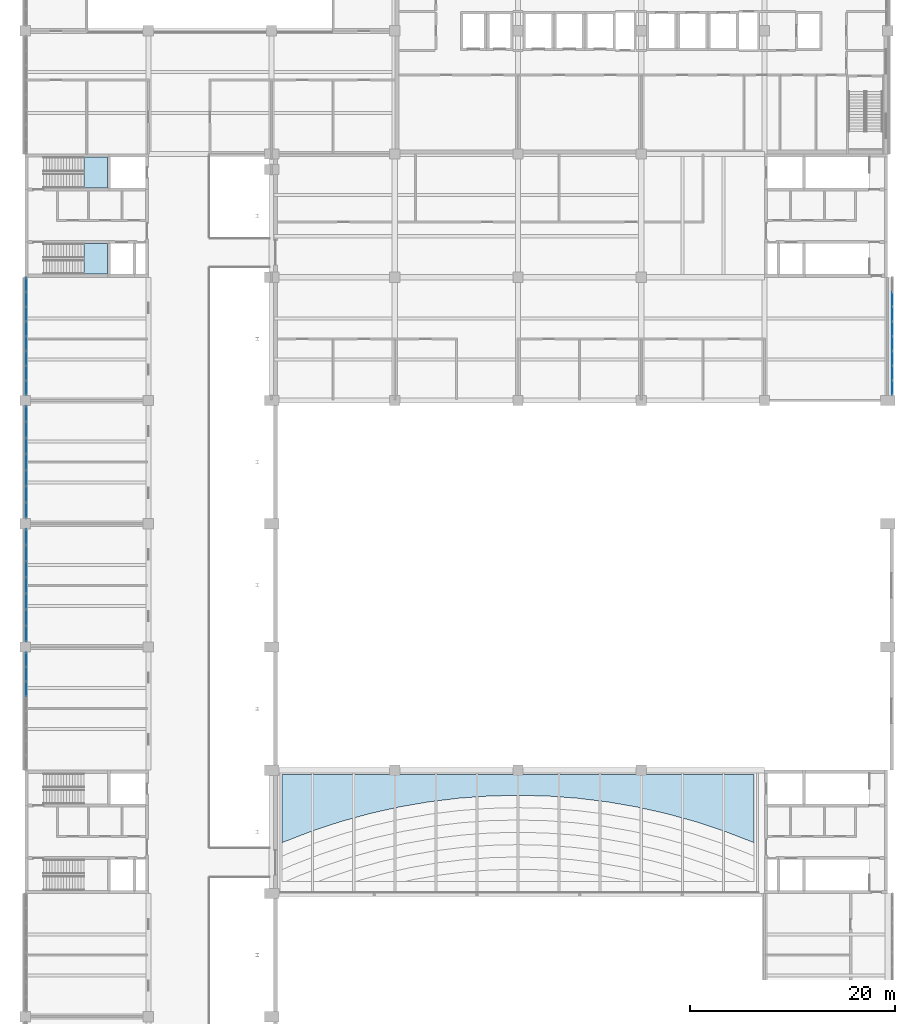
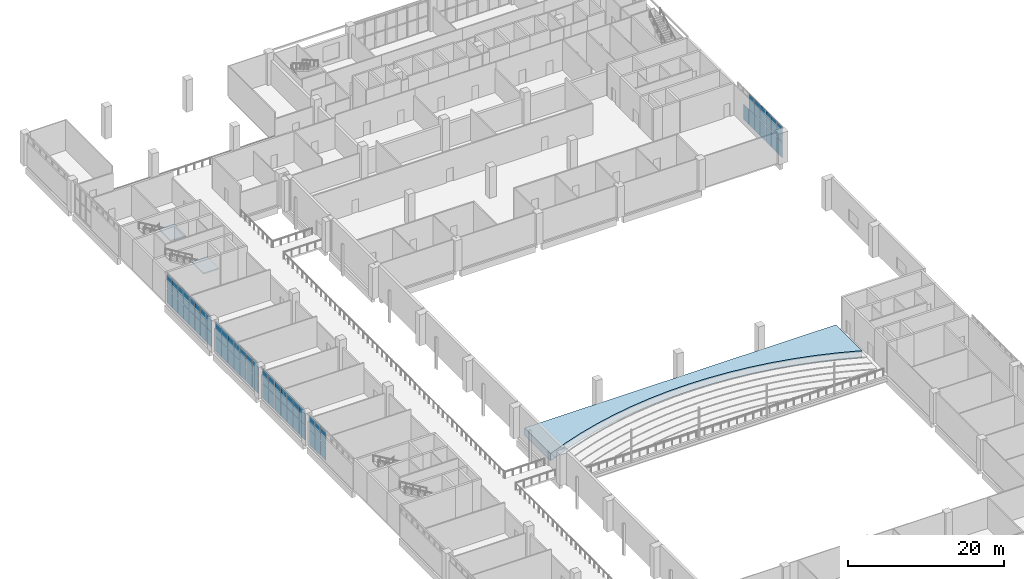
# One storey, part 48 of 69: 63 plates, 3 slabs, 7 elements without a shape of their own.
"""IFC4 building model written with IfcOpenShell, lengths in metres."""

from ifc_helpers import new_model, si_unit, direction, frame, origin, origin_2d, place, context, subcontext, project, spatial, polyline, rectangle, outline, extrude, material, layer, layer_set, type_object, element, aggregate, save


model = new_model("IFC4")

# Units and contexts
model_context = context("Model", 3, precision=1e-05, world=origin(), true_north=direction((0.0, 1.0)))
body_context = subcontext(model_context, "Body", "Model", "MODEL_VIEW")
ifc_project = project(units=[si_unit("LENGTHUNIT", "METRE"), si_unit("AREAUNIT", "SQUARE_METRE"), si_unit("VOLUMEUNIT", "CUBIC_METRE"), si_unit("PLANEANGLEUNIT", "RADIAN"), si_unit("MASSUNIT", "GRAM", prefix="KILO")], contexts=[model_context])

# Site, building, storey
site_placement = place(None, origin())
site = spatial("IfcSite", under=ifc_project, at=site_placement, CompositionType="ELEMENT")
building_placement = place(site_placement, origin())
building = spatial("IfcBuilding", under=site, at=building_placement, Name="Lilac Gate Convention Centre", CompositionType="ELEMENT")
storey_placement = place(building_placement, frame((0.0, 0.0, 12.0)))
storey = spatial("IfcBuildingStorey", under=building, at=storey_placement, Name="L02", CompositionType="ELEMENT", Elevation=12.0)

# Curtain wall, plates
ifc_material_1 = material(Name="Aluminium framed double glazing", Category="aluminium")
ifc_layer_1 = layer(ifc_material_1, 0.199951171875)
ifc_layer_set_1 = layer_set([ifc_layer_1], Name="Aluminium framed double glazing")
curtain_wall_type = type_object("IfcCurtainWallType", Name="Unitised curtain wall 1500", PredefinedType="NOTDEFINED", material=ifc_layer_set_1)
curtain_wall_1_placement = place(storey_placement, origin())
curtain_wall_1 = element("IfcCurtainWall", 1, at=curtain_wall_1_placement, inside=storey, type_object=curtain_wall_type, Name="Curtain wall PW L02 1", PredefinedType="NOTDEFINED")
ifc_material_2 = material(Name="Double glazed unit low emissivity")
ifc_layer_2 = layer(ifc_material_2, 0.028076171875)
ifc_layer_set_2 = layer_set([ifc_layer_2], Name="Double glazed unit low emissivity")
plate_type_1 = type_object("IfcPlateType", Name="Curtain wall glass panel 28", PredefinedType="CURTAIN_PANEL", material=ifc_layer_set_2)
plate_1_placement = place(storey_placement, frame((6.10009765625, 209.266357421875, 2.4052734375), z_axis=(0.0, 0.0, 1.0), x_axis=(0.0, -1.0, 0.0)))
plate_1 = element("IfcPlate", 2, at=plate_1_placement, type_object=plate_type_1, Name="CW panel 1.2", PredefinedType="CURTAIN_PANEL", context=body_context, shape_type="SweptSolid", body=[
    extrude(rectangle(XDim=1.347412109375, YDim=0.028076171875, at=origin_2d()), origin(), (0.0, 0.0, 1.0), 2.284912109375),
])
plate_2_placement = place(storey_placement, frame((6.10009765625, 207.84375, 2.4052734375), z_axis=(0.0, 0.0, 1.0), x_axis=(0.0, -1.0, 0.0)))
plate_2 = element("IfcPlate", 3, at=plate_2_placement, type_object=plate_type_1, Name="CW panel 2.2", PredefinedType="CURTAIN_PANEL", context=body_context, shape_type="SweptSolid", body=[
    extrude(rectangle(XDim=1.37744140625, YDim=0.028076171875, at=origin_2d()), origin(), (0.0, 0.0, 1.0), 2.284912109375),
])
plate_3_placement = place(storey_placement, frame((6.10009765625, 206.40625, 2.4052734375), z_axis=(0.0, 0.0, 1.0), x_axis=(0.0, -1.0, 0.0)))
plate_3 = element("IfcPlate", 4, at=plate_3_placement, type_object=plate_type_1, Name="CW panel 3.2", PredefinedType="CURTAIN_PANEL", context=body_context, shape_type="SweptSolid", body=[
    extrude(rectangle(XDim=1.37744140625, YDim=0.028076171875, at=origin_2d()), origin(), (0.0, 0.0, 1.0), 2.284912109375),
])
plate_4_placement = place(storey_placement, frame((6.10009765625, 204.96875, 2.4052734375), z_axis=(0.0, 0.0, 1.0), x_axis=(0.0, -1.0, 0.0)))
plate_4 = element("IfcPlate", 5, at=plate_4_placement, type_object=plate_type_1, Name="CW panel 4.2", PredefinedType="CURTAIN_PANEL", context=body_context, shape_type="SweptSolid", body=[
    extrude(rectangle(XDim=1.37744140625, YDim=0.028076171875, at=origin_2d()), origin(), (0.0, 0.0, 1.0), 2.284912109375),
])
plate_5_placement = place(storey_placement, frame((6.10009765625, 203.53125, 2.4052734375), z_axis=(0.0, 0.0, 1.0), x_axis=(0.0, -1.0, 0.0)))
plate_5 = element("IfcPlate", 6, at=plate_5_placement, type_object=plate_type_1, Name="CW panel 5.2", PredefinedType="CURTAIN_PANEL", context=body_context, shape_type="SweptSolid", body=[
    extrude(rectangle(XDim=1.37744140625, YDim=0.028076171875, at=origin_2d()), origin(), (0.0, 0.0, 1.0), 2.284912109375),
])
plate_6_placement = place(storey_placement, frame((6.10009765625, 202.09375, 2.4052734375), z_axis=(0.0, 0.0, 1.0), x_axis=(0.0, -1.0, 0.0)))
plate_6 = element("IfcPlate", 7, at=plate_6_placement, type_object=plate_type_1, Name="CW panel 6.2", PredefinedType="CURTAIN_PANEL", context=body_context, shape_type="SweptSolid", body=[
    extrude(rectangle(XDim=1.37744140625, YDim=0.028076171875, at=origin_2d()), origin(), (0.0, 0.0, 1.0), 2.284912109375),
])
plate_7_placement = place(storey_placement, frame((6.10009765625, 200.65625, 2.4052734375), z_axis=(0.0, 0.0, 1.0), x_axis=(0.0, -1.0, 0.0)))
plate_7 = element("IfcPlate", 8, at=plate_7_placement, type_object=plate_type_1, Name="CW panel 7.2", PredefinedType="CURTAIN_PANEL", context=body_context, shape_type="SweptSolid", body=[
    extrude(rectangle(XDim=1.37744140625, YDim=0.028076171875, at=origin_2d()), origin(), (0.0, 0.0, 1.0), 2.284912109375),
])
plate_8_placement = place(storey_placement, frame((6.10009765625, 199.233642578125, 2.4052734375), z_axis=(0.0, 0.0, 1.0), x_axis=(0.0, -1.0, 0.0)))
plate_8 = element("IfcPlate", 9, at=plate_8_placement, type_object=plate_type_1, Name="CW panel 8.2", PredefinedType="CURTAIN_PANEL", context=body_context, shape_type="SweptSolid", body=[
    extrude(rectangle(XDim=1.347412109375, YDim=0.028076171875, at=origin_2d()), origin(), (0.0, 0.0, 1.0), 2.284912109375),
])

curtain_wall_2_placement = place(storey_placement, origin())
curtain_wall_2 = element("IfcCurtainWall", 10, at=curtain_wall_2_placement, inside=storey, type_object=curtain_wall_type, Name="Curtain wall PW L02 2", PredefinedType="NOTDEFINED")
plate_9_placement = place(storey_placement, frame((6.10009765625, 196.69921875, 2.4052734375), z_axis=(0.0, 0.0, 1.0), x_axis=(0.0, -1.0, 0.0)))
plate_9 = element("IfcPlate", 11, at=plate_9_placement, type_object=plate_type_1, Name="CW panel 1.2", PredefinedType="CURTAIN_PANEL", context=body_context, shape_type="SweptSolid", body=[
    extrude(rectangle(XDim=1.4814453125, YDim=0.028076171875, at=origin_2d()), origin(), (0.0, 0.0, 1.0), 2.284912109375),
])
plate_10_placement = place(storey_placement, frame((6.10009765625, 195.142822265625, 2.4052734375), z_axis=(0.0, 0.0, 1.0), x_axis=(0.0, -1.0, 0.0)))
plate_10 = element("IfcPlate", 12, at=plate_10_placement, type_object=plate_type_1, Name="CW panel 2.2", PredefinedType="CURTAIN_PANEL", context=body_context, shape_type="SweptSolid", body=[
    extrude(rectangle(XDim=1.511474609375, YDim=0.028076171875, at=origin_2d()), origin(), (0.0, 0.0, 1.0), 2.284912109375),
])
plate_11_placement = place(storey_placement, frame((6.10009765625, 193.571533203125, 2.4052734375), z_axis=(0.0, 0.0, 1.0), x_axis=(0.0, -1.0, 0.0)))
plate_11 = element("IfcPlate", 13, at=plate_11_placement, type_object=plate_type_1, Name="CW panel 3.2", PredefinedType="CURTAIN_PANEL", context=body_context, shape_type="SweptSolid", body=[
    extrude(rectangle(XDim=1.511474609375, YDim=0.028076171875, at=origin_2d()), origin(), (0.0, 0.0, 1.0), 2.284912109375),
])
plate_12_placement = place(storey_placement, frame((6.10009765625, 192.0, 2.4052734375), z_axis=(0.0, 0.0, 1.0), x_axis=(0.0, -1.0, 0.0)))
plate_12 = element("IfcPlate", 14, at=plate_12_placement, type_object=plate_type_1, Name="CW panel 4.2", PredefinedType="CURTAIN_PANEL", context=body_context, shape_type="SweptSolid", body=[
    extrude(rectangle(XDim=1.511474609375, YDim=0.028076171875, at=origin_2d()), origin(), (0.0, 0.0, 1.0), 2.284912109375),
])
plate_13_placement = place(storey_placement, frame((6.10009765625, 190.428466796875, 2.4052734375), z_axis=(0.0, 0.0, 1.0), x_axis=(0.0, -1.0, 0.0)))
plate_13 = element("IfcPlate", 15, at=plate_13_placement, type_object=plate_type_1, Name="CW panel 5.2", PredefinedType="CURTAIN_PANEL", context=body_context, shape_type="SweptSolid", body=[
    extrude(rectangle(XDim=1.511474609375, YDim=0.028076171875, at=origin_2d()), origin(), (0.0, 0.0, 1.0), 2.284912109375),
])
plate_14_placement = place(storey_placement, frame((6.10009765625, 188.857177734375, 2.4052734375), z_axis=(0.0, 0.0, 1.0), x_axis=(0.0, -1.0, 0.0)))
plate_14 = element("IfcPlate", 16, at=plate_14_placement, type_object=plate_type_1, Name="CW panel 6.2", PredefinedType="CURTAIN_PANEL", context=body_context, shape_type="SweptSolid", body=[
    extrude(rectangle(XDim=1.511474609375, YDim=0.028076171875, at=origin_2d()), origin(), (0.0, 0.0, 1.0), 2.284912109375),
])
plate_15_placement = place(storey_placement, frame((6.10009765625, 187.30078125, 2.4052734375), z_axis=(0.0, 0.0, 1.0), x_axis=(0.0, -1.0, 0.0)))
plate_15 = element("IfcPlate", 17, at=plate_15_placement, type_object=plate_type_1, Name="CW panel 7.2", PredefinedType="CURTAIN_PANEL", context=body_context, shape_type="SweptSolid", body=[
    extrude(rectangle(XDim=1.4814453125, YDim=0.028076171875, at=origin_2d()), origin(), (0.0, 0.0, 1.0), 2.284912109375),
])

curtain_wall_3_placement = place(storey_placement, origin())
curtain_wall_3 = element("IfcCurtainWall", 18, at=curtain_wall_3_placement, inside=storey, type_object=curtain_wall_type, Name="Curtain wall PW L02 3", PredefinedType="NOTDEFINED")
plate_16_placement = place(storey_placement, frame((6.10009765625, 184.69921875, 2.4052734375), z_axis=(0.0, 0.0, 1.0), x_axis=(0.0, -1.0, 0.0)))
plate_16 = element("IfcPlate", 19, at=plate_16_placement, type_object=plate_type_1, Name="CW panel 1.2", PredefinedType="CURTAIN_PANEL", context=body_context, shape_type="SweptSolid", body=[
    extrude(rectangle(XDim=1.4814453125, YDim=0.028076171875, at=origin_2d()), origin(), (0.0, 0.0, 1.0), 2.284912109375),
])
plate_17_placement = place(storey_placement, frame((6.10009765625, 183.142822265625, 2.4052734375), z_axis=(0.0, 0.0, 1.0), x_axis=(0.0, -1.0, 0.0)))
plate_17 = element("IfcPlate", 20, at=plate_17_placement, type_object=plate_type_1, Name="CW panel 2.2", PredefinedType="CURTAIN_PANEL", context=body_context, shape_type="SweptSolid", body=[
    extrude(rectangle(XDim=1.511474609375, YDim=0.028076171875, at=origin_2d()), origin(), (0.0, 0.0, 1.0), 2.284912109375),
])
plate_18_placement = place(storey_placement, frame((6.10009765625, 181.571533203125, 2.4052734375), z_axis=(0.0, 0.0, 1.0), x_axis=(0.0, -1.0, 0.0)))
plate_18 = element("IfcPlate", 21, at=plate_18_placement, type_object=plate_type_1, Name="CW panel 3.2", PredefinedType="CURTAIN_PANEL", context=body_context, shape_type="SweptSolid", body=[
    extrude(rectangle(XDim=1.511474609375, YDim=0.028076171875, at=origin_2d()), origin(), (0.0, 0.0, 1.0), 2.284912109375),
])
plate_19_placement = place(storey_placement, frame((6.10009765625, 180.0, 2.4052734375), z_axis=(0.0, 0.0, 1.0), x_axis=(0.0, -1.0, 0.0)))
plate_19 = element("IfcPlate", 22, at=plate_19_placement, type_object=plate_type_1, Name="CW panel 4.2", PredefinedType="CURTAIN_PANEL", context=body_context, shape_type="SweptSolid", body=[
    extrude(rectangle(XDim=1.511474609375, YDim=0.028076171875, at=origin_2d()), origin(), (0.0, 0.0, 1.0), 2.284912109375),
])
plate_20_placement = place(storey_placement, frame((6.10009765625, 178.428466796875, 2.4052734375), z_axis=(0.0, 0.0, 1.0), x_axis=(0.0, -1.0, 0.0)))
plate_20 = element("IfcPlate", 23, at=plate_20_placement, type_object=plate_type_1, Name="CW panel 5.2", PredefinedType="CURTAIN_PANEL", context=body_context, shape_type="SweptSolid", body=[
    extrude(rectangle(XDim=1.511474609375, YDim=0.028076171875, at=origin_2d()), origin(), (0.0, 0.0, 1.0), 2.284912109375),
])
plate_21_placement = place(storey_placement, frame((6.10009765625, 176.857177734375, 2.4052734375), z_axis=(0.0, 0.0, 1.0), x_axis=(0.0, -1.0, 0.0)))
plate_21 = element("IfcPlate", 24, at=plate_21_placement, type_object=plate_type_1, Name="CW panel 6.2", PredefinedType="CURTAIN_PANEL", context=body_context, shape_type="SweptSolid", body=[
    extrude(rectangle(XDim=1.511474609375, YDim=0.028076171875, at=origin_2d()), origin(), (0.0, 0.0, 1.0), 2.284912109375),
])
plate_22_placement = place(storey_placement, frame((6.10009765625, 175.30078125, 2.4052734375), z_axis=(0.0, 0.0, 1.0), x_axis=(0.0, -1.0, 0.0)))
plate_22 = element("IfcPlate", 25, at=plate_22_placement, type_object=plate_type_1, Name="CW panel 7.2", PredefinedType="CURTAIN_PANEL", context=body_context, shape_type="SweptSolid", body=[
    extrude(rectangle(XDim=1.4814453125, YDim=0.028076171875, at=origin_2d()), origin(), (0.0, 0.0, 1.0), 2.284912109375),
])

curtain_wall_4_placement = place(storey_placement, origin())
curtain_wall_4 = element("IfcCurtainWall", 26, at=curtain_wall_4_placement, inside=storey, type_object=curtain_wall_type, Name="Curtain wall PW L02 4", PredefinedType="NOTDEFINED")
plate_23_placement = place(storey_placement, frame((6.10009765625, 172.766357421875, 2.4052734375), z_axis=(0.0, 0.0, 1.0), x_axis=(0.0, -1.0, 0.0)))
plate_23 = element("IfcPlate", 27, at=plate_23_placement, type_object=plate_type_1, Name="CW panel 1.2", PredefinedType="CURTAIN_PANEL", context=body_context, shape_type="SweptSolid", body=[
    extrude(rectangle(XDim=1.347412109375, YDim=0.028076171875, at=origin_2d()), origin(), (0.0, 0.0, 1.0), 2.284912109375),
])
plate_24_placement = place(storey_placement, frame((6.10009765625, 171.34375, 2.4052734375), z_axis=(0.0, 0.0, 1.0), x_axis=(0.0, -1.0, 0.0)))
plate_24 = element("IfcPlate", 28, at=plate_24_placement, type_object=plate_type_1, Name="CW panel 2.2", PredefinedType="CURTAIN_PANEL", context=body_context, shape_type="SweptSolid", body=[
    extrude(rectangle(XDim=1.37744140625, YDim=0.028076171875, at=origin_2d()), origin(), (0.0, 0.0, 1.0), 2.284912109375),
])
plate_25_placement = place(storey_placement, frame((6.10009765625, 169.90625, 2.4052734375), z_axis=(0.0, 0.0, 1.0), x_axis=(0.0, -1.0, 0.0)))
plate_25 = element("IfcPlate", 29, at=plate_25_placement, type_object=plate_type_1, Name="CW panel 3.2", PredefinedType="CURTAIN_PANEL", context=body_context, shape_type="SweptSolid", body=[
    extrude(rectangle(XDim=1.37744140625, YDim=0.028076171875, at=origin_2d()), origin(), (0.0, 0.0, 1.0), 2.284912109375),
])

curtain_wall_5_placement = place(storey_placement, origin())
curtain_wall_5 = element("IfcCurtainWall", 30, at=curtain_wall_5_placement, inside=storey, type_object=curtain_wall_type, Name="Curtain wall HE L02 12", PredefinedType="NOTDEFINED")
plate_26_placement = place(storey_placement, frame((90.449951171875, 199.233642578125, 2.5302734375), z_axis=(0.0, 0.0, 1.0), x_axis=(0.0, 1.0, 0.0)))
plate_26 = element("IfcPlate", 31, at=plate_26_placement, type_object=plate_type_1, Name="CW panel 1.2", PredefinedType="CURTAIN_PANEL", context=body_context, shape_type="SweptSolid", body=[
    extrude(rectangle(XDim=1.347412109375, YDim=0.028076171875, at=origin_2d()), origin(), (0.0, 0.0, 1.0), 2.409912109375),
])
plate_27_placement = place(storey_placement, frame((90.449951171875, 200.65625, 2.5302734375), z_axis=(0.0, 0.0, 1.0), x_axis=(0.0, 1.0, 0.0)))
plate_27 = element("IfcPlate", 32, at=plate_27_placement, type_object=plate_type_1, Name="CW panel 2.2", PredefinedType="CURTAIN_PANEL", context=body_context, shape_type="SweptSolid", body=[
    extrude(rectangle(XDim=1.37744140625, YDim=0.028076171875, at=origin_2d()), origin(), (0.0, 0.0, 1.0), 2.409912109375),
])
plate_28_placement = place(storey_placement, frame((90.449951171875, 202.09375, 2.5302734375), z_axis=(0.0, 0.0, 1.0), x_axis=(0.0, 1.0, 0.0)))
plate_28 = element("IfcPlate", 33, at=plate_28_placement, type_object=plate_type_1, Name="CW panel 3.2", PredefinedType="CURTAIN_PANEL", context=body_context, shape_type="SweptSolid", body=[
    extrude(rectangle(XDim=1.37744140625, YDim=0.028076171875, at=origin_2d()), origin(), (0.0, 0.0, 1.0), 2.409912109375),
])
plate_29_placement = place(storey_placement, frame((90.449951171875, 203.53125, 2.5302734375), z_axis=(0.0, 0.0, 1.0), x_axis=(0.0, 1.0, 0.0)))
plate_29 = element("IfcPlate", 34, at=plate_29_placement, type_object=plate_type_1, Name="CW panel 4.2", PredefinedType="CURTAIN_PANEL", context=body_context, shape_type="SweptSolid", body=[
    extrude(rectangle(XDim=1.37744140625, YDim=0.028076171875, at=origin_2d()), origin(), (0.0, 0.0, 1.0), 2.409912109375),
])
plate_30_placement = place(storey_placement, frame((90.449951171875, 204.96875, 2.5302734375), z_axis=(0.0, 0.0, 1.0), x_axis=(0.0, 1.0, 0.0)))
plate_30 = element("IfcPlate", 35, at=plate_30_placement, type_object=plate_type_1, Name="CW panel 5.2", PredefinedType="CURTAIN_PANEL", context=body_context, shape_type="SweptSolid", body=[
    extrude(rectangle(XDim=1.37744140625, YDim=0.028076171875, at=origin_2d()), origin(), (0.0, 0.0, 1.0), 2.409912109375),
])
plate_31_placement = place(storey_placement, frame((90.449951171875, 206.40625, 2.5302734375), z_axis=(0.0, 0.0, 1.0), x_axis=(0.0, 1.0, 0.0)))
plate_31 = element("IfcPlate", 36, at=plate_31_placement, type_object=plate_type_1, Name="CW panel 6.2", PredefinedType="CURTAIN_PANEL", context=body_context, shape_type="SweptSolid", body=[
    extrude(rectangle(XDim=1.37744140625, YDim=0.028076171875, at=origin_2d()), origin(), (0.0, 0.0, 1.0), 2.409912109375),
])

# Plate
ifc_material_3 = material(Name="Insulated aluminium spandrel panel", Category="aluminium")
ifc_layer_3 = layer(ifc_material_3, 0.028076171875)
ifc_layer_set_3 = layer_set([ifc_layer_3], Name="Insulated aluminium spandrel panel")
plate_type_2 = type_object("IfcPlateType", Name="Curtain wall spandrel panel 28", PredefinedType="CURTAIN_PANEL", material=ifc_layer_set_3)
plate_32_placement = place(storey_placement, frame((6.10009765625, 209.266357421875, 0.06005859375), z_axis=(0.0, 0.0, 1.0), x_axis=(0.0, -1.0, 0.0)))
plate_32 = element("IfcPlate", 37, at=plate_32_placement, type_object=plate_type_2, Name="CW spandrel 1.1", PredefinedType="CURTAIN_PANEL", context=body_context, shape_type="SweptSolid", body=[
    extrude(rectangle(XDim=1.347412109375, YDim=0.028076171875, at=origin_2d()), origin(), (0.0, 0.0, 1.0), 2.284912109375),
])

plate_33_placement = place(storey_placement, frame((6.10009765625, 207.84375, 0.06005859375), z_axis=(0.0, 0.0, 1.0), x_axis=(0.0, -1.0, 0.0)))
plate_33 = element("IfcPlate", 38, at=plate_33_placement, type_object=plate_type_2, Name="CW spandrel 2.1", PredefinedType="CURTAIN_PANEL", context=body_context, shape_type="SweptSolid", body=[
    extrude(rectangle(XDim=1.37744140625, YDim=0.028076171875, at=origin_2d()), origin(), (0.0, 0.0, 1.0), 2.284912109375),
])

plate_34_placement = place(storey_placement, frame((6.10009765625, 206.40625, 0.06005859375), z_axis=(0.0, 0.0, 1.0), x_axis=(0.0, -1.0, 0.0)))
plate_34 = element("IfcPlate", 39, at=plate_34_placement, type_object=plate_type_2, Name="CW spandrel 3.1", PredefinedType="CURTAIN_PANEL", context=body_context, shape_type="SweptSolid", body=[
    extrude(rectangle(XDim=1.37744140625, YDim=0.028076171875, at=origin_2d()), origin(), (0.0, 0.0, 1.0), 2.284912109375),
])

plate_35_placement = place(storey_placement, frame((6.10009765625, 204.96875, 0.06005859375), z_axis=(0.0, 0.0, 1.0), x_axis=(0.0, -1.0, 0.0)))
plate_35 = element("IfcPlate", 40, at=plate_35_placement, type_object=plate_type_2, Name="CW spandrel 4.1", PredefinedType="CURTAIN_PANEL", context=body_context, shape_type="SweptSolid", body=[
    extrude(rectangle(XDim=1.37744140625, YDim=0.028076171875, at=origin_2d()), origin(), (0.0, 0.0, 1.0), 2.284912109375),
])

plate_36_placement = place(storey_placement, frame((6.10009765625, 203.53125, 0.06005859375), z_axis=(0.0, 0.0, 1.0), x_axis=(0.0, -1.0, 0.0)))
plate_36 = element("IfcPlate", 41, at=plate_36_placement, type_object=plate_type_2, Name="CW spandrel 5.1", PredefinedType="CURTAIN_PANEL", context=body_context, shape_type="SweptSolid", body=[
    extrude(rectangle(XDim=1.37744140625, YDim=0.028076171875, at=origin_2d()), origin(), (0.0, 0.0, 1.0), 2.284912109375),
])

plate_37_placement = place(storey_placement, frame((6.10009765625, 202.09375, 0.06005859375), z_axis=(0.0, 0.0, 1.0), x_axis=(0.0, -1.0, 0.0)))
plate_37 = element("IfcPlate", 42, at=plate_37_placement, type_object=plate_type_2, Name="CW spandrel 6.1", PredefinedType="CURTAIN_PANEL", context=body_context, shape_type="SweptSolid", body=[
    extrude(rectangle(XDim=1.37744140625, YDim=0.028076171875, at=origin_2d()), origin(), (0.0, 0.0, 1.0), 2.284912109375),
])

plate_38_placement = place(storey_placement, frame((6.10009765625, 200.65625, 0.06005859375), z_axis=(0.0, 0.0, 1.0), x_axis=(0.0, -1.0, 0.0)))
plate_38 = element("IfcPlate", 43, at=plate_38_placement, type_object=plate_type_2, Name="CW spandrel 7.1", PredefinedType="CURTAIN_PANEL", context=body_context, shape_type="SweptSolid", body=[
    extrude(rectangle(XDim=1.37744140625, YDim=0.028076171875, at=origin_2d()), origin(), (0.0, 0.0, 1.0), 2.284912109375),
])

plate_39_placement = place(storey_placement, frame((6.10009765625, 199.233642578125, 0.06005859375), z_axis=(0.0, 0.0, 1.0), x_axis=(0.0, -1.0, 0.0)))
plate_39 = element("IfcPlate", 44, at=plate_39_placement, type_object=plate_type_2, Name="CW spandrel 8.1", PredefinedType="CURTAIN_PANEL", context=body_context, shape_type="SweptSolid", body=[
    extrude(rectangle(XDim=1.347412109375, YDim=0.028076171875, at=origin_2d()), origin(), (0.0, 0.0, 1.0), 2.284912109375),
])

aggregate(curtain_wall_1, [plate_32, plate_1, plate_33, plate_2, plate_34, plate_3, plate_35, plate_4, plate_36, plate_5, plate_37, plate_6, plate_38, plate_7, plate_39, plate_8])

plate_40_placement = place(storey_placement, frame((6.10009765625, 196.69921875, 0.06005859375), z_axis=(0.0, 0.0, 1.0), x_axis=(0.0, -1.0, 0.0)))
plate_40 = element("IfcPlate", 45, at=plate_40_placement, type_object=plate_type_2, Name="CW spandrel 1.1", PredefinedType="CURTAIN_PANEL", context=body_context, shape_type="SweptSolid", body=[
    extrude(rectangle(XDim=1.4814453125, YDim=0.028076171875, at=origin_2d()), origin(), (0.0, 0.0, 1.0), 2.284912109375),
])

plate_41_placement = place(storey_placement, frame((6.10009765625, 195.142822265625, 0.06005859375), z_axis=(0.0, 0.0, 1.0), x_axis=(0.0, -1.0, 0.0)))
plate_41 = element("IfcPlate", 46, at=plate_41_placement, type_object=plate_type_2, Name="CW spandrel 2.1", PredefinedType="CURTAIN_PANEL", context=body_context, shape_type="SweptSolid", body=[
    extrude(rectangle(XDim=1.511474609375, YDim=0.028076171875, at=origin_2d()), origin(), (0.0, 0.0, 1.0), 2.284912109375),
])

plate_42_placement = place(storey_placement, frame((6.10009765625, 193.571533203125, 0.06005859375), z_axis=(0.0, 0.0, 1.0), x_axis=(0.0, -1.0, 0.0)))
plate_42 = element("IfcPlate", 47, at=plate_42_placement, type_object=plate_type_2, Name="CW spandrel 3.1", PredefinedType="CURTAIN_PANEL", context=body_context, shape_type="SweptSolid", body=[
    extrude(rectangle(XDim=1.511474609375, YDim=0.028076171875, at=origin_2d()), origin(), (0.0, 0.0, 1.0), 2.284912109375),
])

plate_43_placement = place(storey_placement, frame((6.10009765625, 192.0, 0.06005859375), z_axis=(0.0, 0.0, 1.0), x_axis=(0.0, -1.0, 0.0)))
plate_43 = element("IfcPlate", 48, at=plate_43_placement, type_object=plate_type_2, Name="CW spandrel 4.1", PredefinedType="CURTAIN_PANEL", context=body_context, shape_type="SweptSolid", body=[
    extrude(rectangle(XDim=1.511474609375, YDim=0.028076171875, at=origin_2d()), origin(), (0.0, 0.0, 1.0), 2.284912109375),
])

plate_44_placement = place(storey_placement, frame((6.10009765625, 190.428466796875, 0.06005859375), z_axis=(0.0, 0.0, 1.0), x_axis=(0.0, -1.0, 0.0)))
plate_44 = element("IfcPlate", 49, at=plate_44_placement, type_object=plate_type_2, Name="CW spandrel 5.1", PredefinedType="CURTAIN_PANEL", context=body_context, shape_type="SweptSolid", body=[
    extrude(rectangle(XDim=1.511474609375, YDim=0.028076171875, at=origin_2d()), origin(), (0.0, 0.0, 1.0), 2.284912109375),
])

plate_45_placement = place(storey_placement, frame((6.10009765625, 188.857177734375, 0.06005859375), z_axis=(0.0, 0.0, 1.0), x_axis=(0.0, -1.0, 0.0)))
plate_45 = element("IfcPlate", 50, at=plate_45_placement, type_object=plate_type_2, Name="CW spandrel 6.1", PredefinedType="CURTAIN_PANEL", context=body_context, shape_type="SweptSolid", body=[
    extrude(rectangle(XDim=1.511474609375, YDim=0.028076171875, at=origin_2d()), origin(), (0.0, 0.0, 1.0), 2.284912109375),
])

plate_46_placement = place(storey_placement, frame((6.10009765625, 187.30078125, 0.06005859375), z_axis=(0.0, 0.0, 1.0), x_axis=(0.0, -1.0, 0.0)))
plate_46 = element("IfcPlate", 51, at=plate_46_placement, type_object=plate_type_2, Name="CW spandrel 7.1", PredefinedType="CURTAIN_PANEL", context=body_context, shape_type="SweptSolid", body=[
    extrude(rectangle(XDim=1.4814453125, YDim=0.028076171875, at=origin_2d()), origin(), (0.0, 0.0, 1.0), 2.284912109375),
])

aggregate(curtain_wall_2, [plate_40, plate_9, plate_41, plate_10, plate_42, plate_11, plate_43, plate_12, plate_44, plate_13, plate_45, plate_14, plate_46, plate_15])

plate_47_placement = place(storey_placement, frame((6.10009765625, 184.69921875, 0.06005859375), z_axis=(0.0, 0.0, 1.0), x_axis=(0.0, -1.0, 0.0)))
plate_47 = element("IfcPlate", 52, at=plate_47_placement, type_object=plate_type_2, Name="CW spandrel 1.1", PredefinedType="CURTAIN_PANEL", context=body_context, shape_type="SweptSolid", body=[
    extrude(rectangle(XDim=1.4814453125, YDim=0.028076171875, at=origin_2d()), origin(), (0.0, 0.0, 1.0), 2.284912109375),
])

plate_48_placement = place(storey_placement, frame((6.10009765625, 183.142822265625, 0.06005859375), z_axis=(0.0, 0.0, 1.0), x_axis=(0.0, -1.0, 0.0)))
plate_48 = element("IfcPlate", 53, at=plate_48_placement, type_object=plate_type_2, Name="CW spandrel 2.1", PredefinedType="CURTAIN_PANEL", context=body_context, shape_type="SweptSolid", body=[
    extrude(rectangle(XDim=1.511474609375, YDim=0.028076171875, at=origin_2d()), origin(), (0.0, 0.0, 1.0), 2.284912109375),
])

plate_49_placement = place(storey_placement, frame((6.10009765625, 181.571533203125, 0.06005859375), z_axis=(0.0, 0.0, 1.0), x_axis=(0.0, -1.0, 0.0)))
plate_49 = element("IfcPlate", 54, at=plate_49_placement, type_object=plate_type_2, Name="CW spandrel 3.1", PredefinedType="CURTAIN_PANEL", context=body_context, shape_type="SweptSolid", body=[
    extrude(rectangle(XDim=1.511474609375, YDim=0.028076171875, at=origin_2d()), origin(), (0.0, 0.0, 1.0), 2.284912109375),
])

plate_50_placement = place(storey_placement, frame((6.10009765625, 180.0, 0.06005859375), z_axis=(0.0, 0.0, 1.0), x_axis=(0.0, -1.0, 0.0)))
plate_50 = element("IfcPlate", 55, at=plate_50_placement, type_object=plate_type_2, Name="CW spandrel 4.1", PredefinedType="CURTAIN_PANEL", context=body_context, shape_type="SweptSolid", body=[
    extrude(rectangle(XDim=1.511474609375, YDim=0.028076171875, at=origin_2d()), origin(), (0.0, 0.0, 1.0), 2.284912109375),
])

plate_51_placement = place(storey_placement, frame((6.10009765625, 178.428466796875, 0.06005859375), z_axis=(0.0, 0.0, 1.0), x_axis=(0.0, -1.0, 0.0)))
plate_51 = element("IfcPlate", 56, at=plate_51_placement, type_object=plate_type_2, Name="CW spandrel 5.1", PredefinedType="CURTAIN_PANEL", context=body_context, shape_type="SweptSolid", body=[
    extrude(rectangle(XDim=1.511474609375, YDim=0.028076171875, at=origin_2d()), origin(), (0.0, 0.0, 1.0), 2.284912109375),
])

plate_52_placement = place(storey_placement, frame((6.10009765625, 176.857177734375, 0.06005859375), z_axis=(0.0, 0.0, 1.0), x_axis=(0.0, -1.0, 0.0)))
plate_52 = element("IfcPlate", 57, at=plate_52_placement, type_object=plate_type_2, Name="CW spandrel 6.1", PredefinedType="CURTAIN_PANEL", context=body_context, shape_type="SweptSolid", body=[
    extrude(rectangle(XDim=1.511474609375, YDim=0.028076171875, at=origin_2d()), origin(), (0.0, 0.0, 1.0), 2.284912109375),
])

plate_53_placement = place(storey_placement, frame((6.10009765625, 175.30078125, 0.06005859375), z_axis=(0.0, 0.0, 1.0), x_axis=(0.0, -1.0, 0.0)))
plate_53 = element("IfcPlate", 58, at=plate_53_placement, type_object=plate_type_2, Name="CW spandrel 7.1", PredefinedType="CURTAIN_PANEL", context=body_context, shape_type="SweptSolid", body=[
    extrude(rectangle(XDim=1.4814453125, YDim=0.028076171875, at=origin_2d()), origin(), (0.0, 0.0, 1.0), 2.284912109375),
])

aggregate(curtain_wall_3, [plate_47, plate_16, plate_48, plate_17, plate_49, plate_18, plate_50, plate_19, plate_51, plate_20, plate_52, plate_21, plate_53, plate_22])

plate_54_placement = place(storey_placement, frame((6.10009765625, 172.766357421875, 0.06005859375), z_axis=(0.0, 0.0, 1.0), x_axis=(0.0, -1.0, 0.0)))
plate_54 = element("IfcPlate", 59, at=plate_54_placement, type_object=plate_type_2, Name="CW spandrel 1.1", PredefinedType="CURTAIN_PANEL", context=body_context, shape_type="SweptSolid", body=[
    extrude(rectangle(XDim=1.347412109375, YDim=0.028076171875, at=origin_2d()), origin(), (0.0, 0.0, 1.0), 2.284912109375),
])

plate_55_placement = place(storey_placement, frame((6.10009765625, 171.34375, 0.06005859375), z_axis=(0.0, 0.0, 1.0), x_axis=(0.0, -1.0, 0.0)))
plate_55 = element("IfcPlate", 60, at=plate_55_placement, type_object=plate_type_2, Name="CW spandrel 2.1", PredefinedType="CURTAIN_PANEL", context=body_context, shape_type="SweptSolid", body=[
    extrude(rectangle(XDim=1.37744140625, YDim=0.028076171875, at=origin_2d()), origin(), (0.0, 0.0, 1.0), 2.284912109375),
])

plate_56_placement = place(storey_placement, frame((6.10009765625, 169.90625, 0.06005859375), z_axis=(0.0, 0.0, 1.0), x_axis=(0.0, -1.0, 0.0)))
plate_56 = element("IfcPlate", 61, at=plate_56_placement, type_object=plate_type_2, Name="CW spandrel 3.1", PredefinedType="CURTAIN_PANEL", context=body_context, shape_type="SweptSolid", body=[
    extrude(rectangle(XDim=1.37744140625, YDim=0.028076171875, at=origin_2d()), origin(), (0.0, 0.0, 1.0), 2.284912109375),
])

aggregate(curtain_wall_4, [plate_54, plate_23, plate_55, plate_24, plate_56, plate_25])

plate_57_placement = place(storey_placement, frame((90.449951171875, 199.233642578125, 0.06005859375), z_axis=(0.0, 0.0, 1.0), x_axis=(0.0, 1.0, 0.0)))
plate_57 = element("IfcPlate", 62, at=plate_57_placement, type_object=plate_type_2, Name="CW spandrel 1.1", PredefinedType="CURTAIN_PANEL", context=body_context, shape_type="SweptSolid", body=[
    extrude(rectangle(XDim=1.347412109375, YDim=0.028076171875, at=origin_2d()), origin(), (0.0, 0.0, 1.0), 2.409912109375),
])

plate_58_placement = place(storey_placement, frame((90.449951171875, 200.65625, 0.06005859375), z_axis=(0.0, 0.0, 1.0), x_axis=(0.0, 1.0, 0.0)))
plate_58 = element("IfcPlate", 63, at=plate_58_placement, type_object=plate_type_2, Name="CW spandrel 2.1", PredefinedType="CURTAIN_PANEL", context=body_context, shape_type="SweptSolid", body=[
    extrude(rectangle(XDim=1.37744140625, YDim=0.028076171875, at=origin_2d()), origin(), (0.0, 0.0, 1.0), 2.409912109375),
])

plate_59_placement = place(storey_placement, frame((90.449951171875, 202.09375, 0.06005859375), z_axis=(0.0, 0.0, 1.0), x_axis=(0.0, 1.0, 0.0)))
plate_59 = element("IfcPlate", 64, at=plate_59_placement, type_object=plate_type_2, Name="CW spandrel 3.1", PredefinedType="CURTAIN_PANEL", context=body_context, shape_type="SweptSolid", body=[
    extrude(rectangle(XDim=1.37744140625, YDim=0.028076171875, at=origin_2d()), origin(), (0.0, 0.0, 1.0), 2.409912109375),
])

plate_60_placement = place(storey_placement, frame((90.449951171875, 203.53125, 0.06005859375), z_axis=(0.0, 0.0, 1.0), x_axis=(0.0, 1.0, 0.0)))
plate_60 = element("IfcPlate", 65, at=plate_60_placement, type_object=plate_type_2, Name="CW spandrel 4.1", PredefinedType="CURTAIN_PANEL", context=body_context, shape_type="SweptSolid", body=[
    extrude(rectangle(XDim=1.37744140625, YDim=0.028076171875, at=origin_2d()), origin(), (0.0, 0.0, 1.0), 2.409912109375),
])

plate_61_placement = place(storey_placement, frame((90.449951171875, 204.96875, 0.06005859375), z_axis=(0.0, 0.0, 1.0), x_axis=(0.0, 1.0, 0.0)))
plate_61 = element("IfcPlate", 66, at=plate_61_placement, type_object=plate_type_2, Name="CW spandrel 5.1", PredefinedType="CURTAIN_PANEL", context=body_context, shape_type="SweptSolid", body=[
    extrude(rectangle(XDim=1.37744140625, YDim=0.028076171875, at=origin_2d()), origin(), (0.0, 0.0, 1.0), 2.409912109375),
])

plate_62_placement = place(storey_placement, frame((90.449951171875, 206.40625, 0.06005859375), z_axis=(0.0, 0.0, 1.0), x_axis=(0.0, 1.0, 0.0)))
plate_62 = element("IfcPlate", 67, at=plate_62_placement, type_object=plate_type_2, Name="CW spandrel 6.1", PredefinedType="CURTAIN_PANEL", context=body_context, shape_type="SweptSolid", body=[
    extrude(rectangle(XDim=1.37744140625, YDim=0.028076171875, at=origin_2d()), origin(), (0.0, 0.0, 1.0), 2.409912109375),
])

plate_63_placement = place(storey_placement, frame((90.449951171875, 207.84375, 0.06005859375), z_axis=(0.0, 0.0, 1.0), x_axis=(0.0, 1.0, 0.0)))
plate_63 = element("IfcPlate", 68, at=plate_63_placement, type_object=plate_type_2, Name="CW spandrel 7.1", PredefinedType="CURTAIN_PANEL", context=body_context, shape_type="SweptSolid", body=[
    extrude(rectangle(XDim=1.37744140625, YDim=0.028076171875, at=origin_2d()), origin(), (0.0, 0.0, 1.0), 2.409912109375),
])

aggregate(curtain_wall_5, [plate_57, plate_26, plate_58, plate_27, plate_59, plate_28, plate_60, plate_29, plate_61, plate_30, plate_62, plate_31, plate_63])

# Slab
ifc_material_4 = material(Name="Concrete C40", Category="concrete")
ifc_layer_4 = layer(ifc_material_4, 0.300048828125)
ifc_layer_set_4 = layer_set([ifc_layer_4], Name="Concrete C40")
slab_type_1 = type_object("IfcSlabType", Name="Seating tier 300 C40", PredefinedType="USERDEFINED", material=ifc_layer_set_4)
slab_1_placement = place(storey_placement, origin())
element("IfcSlab", 69, at=slab_1_placement, inside=storey, type_object=slab_type_1, Name="TS1 Stand Upper Circle row 8", ObjectType="SEATING TIER", PredefinedType="USERDEFINED", context=body_context, shape_type="SweptSolid", body=[
    extrude(outline(polyline([(76.7890625, 155.01708984375), (74.06201171875, 156.069091796875), (71.285888671875, 156.986083984375), (68.468994140625, 157.764892578125), (65.617919921875, 158.406005859375), (62.738037109375, 158.905029296875), (59.8369140625, 159.262939453125), (56.922119140625, 159.47802734375), (54.0, 159.550048828125), (51.077880859375, 159.47802734375), (48.1630859375, 159.262939453125), (45.261962890625, 158.905029296875), (42.382080078125, 158.406005859375), (39.531005859375, 157.764892578125), (36.714111328125, 156.986083984375), (33.93798828125, 156.069091796875), (31.2109375, 155.01708984375), (31.0, 154.923095703125), (31.0, 161.60009765625), (77.0, 161.60009765625), (77.0, 154.923095703125), (76.7890625, 155.01708984375)])), origin(), (0.0, 0.0, 1.0), 1.1201171875),
])

# Stair, slab
stair_type = type_object("IfcStairType", Name="Exit stair two flights", PredefinedType="HALF_TURN_STAIR", material=ifc_material_4)
stair_1_placement = place(storey_placement, origin())
stair_1 = element("IfcStair", 70, at=stair_1_placement, inside=storey, type_object=stair_type, Name="Exit stair W4A L02 to L03", PredefinedType="HALF_TURN_STAIR")
ifc_layer_5 = layer(ifc_material_4, 0.199951171875)
ifc_layer_set_5 = layer_set([ifc_layer_5], Name="Concrete C40")
slab_type_2 = type_object("IfcSlabType", Name="Stair landing 200 precast", PredefinedType="LANDING", material=ifc_layer_set_5)
slab_2_placement = place(storey_placement, frame((0.0, 0.0, 2.300048828125)))
slab_2 = element("IfcSlab", 71, at=slab_2_placement, type_object=slab_type_2, Name="ST23 landing 1", PredefinedType="LANDING", context=body_context, shape_type="SweptSolid", body=[
    extrude(outline(polyline([(11.719970703125, 210.300048828125), (14.0, 210.300048828125), (14.0, 213.300048828125), (11.719970703125, 213.300048828125), (11.719970703125, 210.300048828125)])), origin(), (0.0, 0.0, 1.0), 0.199951171875),
])
aggregate(stair_1, [slab_2])

stair_2_placement = place(storey_placement, origin())
stair_2 = element("IfcStair", 72, at=stair_2_placement, inside=storey, type_object=stair_type, Name="Exit stair W4B L02 to L03", PredefinedType="HALF_TURN_STAIR")
slab_3_placement = place(storey_placement, frame((0.0, 0.0, 2.300048828125)))
slab_3 = element("IfcSlab", 73, at=slab_3_placement, type_object=slab_type_2, Name="ST24 landing 1", PredefinedType="LANDING", context=body_context, shape_type="SweptSolid", body=[
    extrude(outline(polyline([(11.719970703125, 218.699951171875), (14.0, 218.699951171875), (14.0, 221.699951171875), (11.719970703125, 221.699951171875), (11.719970703125, 218.699951171875)])), origin(), (0.0, 0.0, 1.0), 0.199951171875),
])
aggregate(stair_2, [slab_3])

save(model, "model.ifc")
